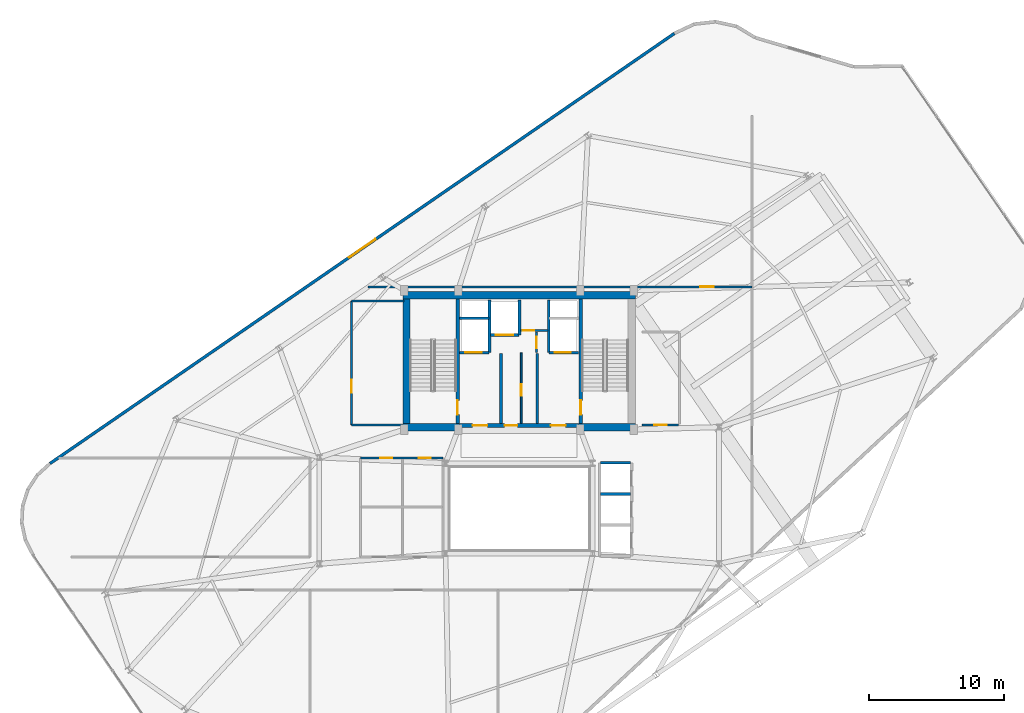
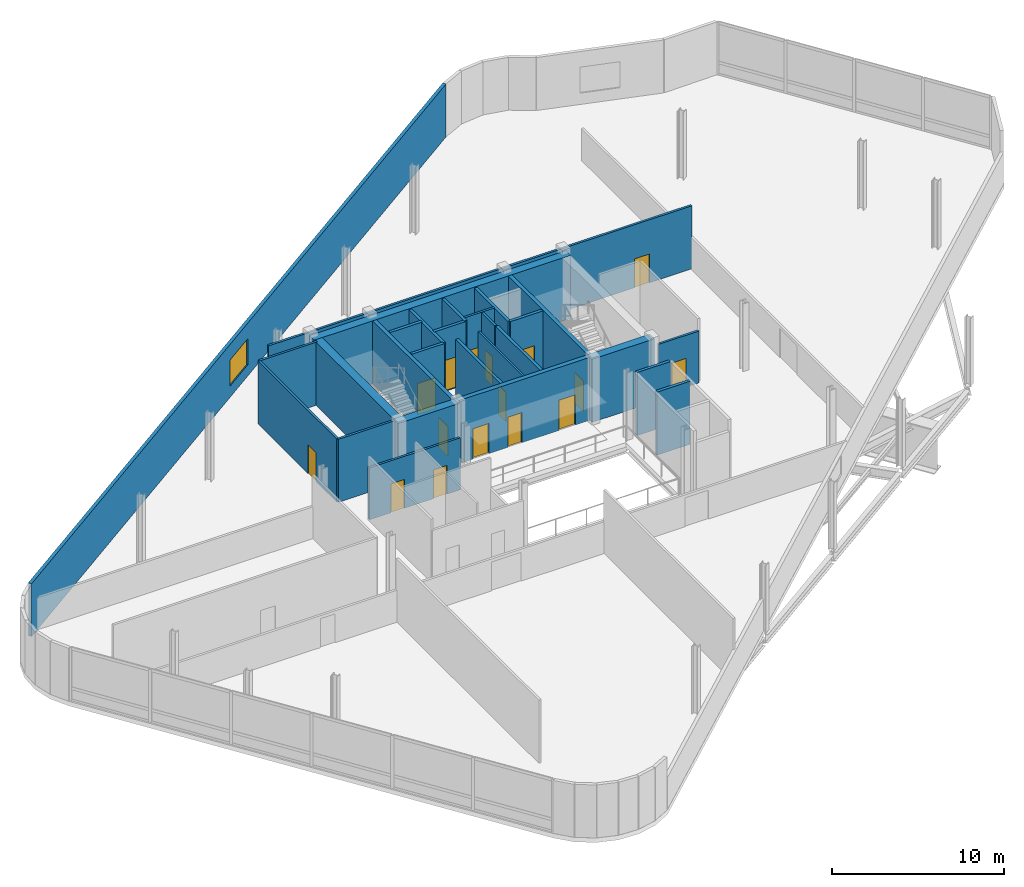
# One storey, part 13 of 15: 28 walls, 16 doors, 1 window, 17 openings.
"""IFC4 building model written with IfcOpenShell, lengths in metres."""

from ifc_helpers import new_model, si_unit, direction, frame, frame_2d, origin, place, context, subcontext, project, spatial, rectangle, extrude, material, layer, layer_set, type_object, element, fill, save


model = new_model("IFC4")

# Units and contexts
model_context = context("Model", 3, precision=1e-05, world=origin(), true_north=direction((0.0, 1.0)))
body_context = subcontext(model_context, "Body", "Model", "MODEL_VIEW")
ifc_project = project(units=[si_unit("LENGTHUNIT", "METRE"), si_unit("AREAUNIT", "SQUARE_METRE"), si_unit("VOLUMEUNIT", "CUBIC_METRE"), si_unit("PLANEANGLEUNIT", "RADIAN"), si_unit("MASSUNIT", "GRAM", prefix="KILO")], contexts=[model_context])

# Site, building, storey
site_placement = place(None, origin())
site = spatial("IfcSite", under=ifc_project, at=site_placement, CompositionType="ELEMENT")
building_placement = place(site_placement, origin())
building = spatial("IfcBuilding", under=site, at=building_placement, Name="Varnelok Gate Tower", CompositionType="ELEMENT")
storey_placement = place(building_placement, frame((0.0, 0.0, 291.5)))
storey = spatial("IfcBuildingStorey", under=building, at=storey_placement, Name="L75", CompositionType="ELEMENT", Elevation=291.5)

# Wall, opening, window
ifc_material_1 = material(Name="Concrete C45/55", Category="concrete")
ifc_layer_1 = layer(ifc_material_1, 0.219970703125)
ifc_layer_set_1 = layer_set([ifc_layer_1], Name="Concrete C45/55")
wall_type_1 = type_object("IfcWallType", Name="EW-BALC-220", PredefinedType="SOLIDWALL", material=ifc_layer_set_1)
wall_1_placement = place(storey_placement, frame((50.69482421875, 58.08642578125, 0.0), z_axis=(0.0, 0.0, 1.0), x_axis=(-0.823531024939, -0.567271232272, 0.0)))
wall_1 = element("IfcWall", 1, at=wall_1_placement, inside=storey, type_object=wall_type_1, Name="L75 Perimeter Facade Closure Wall 15", PredefinedType="SOLIDWALL", context=body_context, shape_type="SweptSolid", body=[
    extrude(rectangle(XDim=56.1572265625, YDim=0.219970703125, at=frame_2d((28.07861328125, 0.0))), origin(), (0.0, 0.0, 1.0), 3.760009765625),
])
opening_1_placement = place(wall_1_placement, frame((26.878662109375, 0.0, 0.800048828125)))
opening_1 = element("IfcOpeningElement", 2, at=opening_1_placement, cuts=wall_1, Name="Opening WN6", PredefinedType="OPENING", context=body_context, shape_type="SweptSolid", body=[
    extrude(rectangle(XDim=2.39990234375, YDim=1.85009765625, at=frame_2d((1.199951171875, 0.925048828125))), frame((0.0, 0.119873046875, 0.0), z_axis=(0.0, -1.0, 0.0), x_axis=(1.0, 0.0, 0.0)), (0.0, 0.0, 1.0), 0.239990234375),
])
ifc_material_2 = material(Name="Low-E Laminated Double Glazing IGU", Category="glass")
window_type = type_object("IfcWindowType", Name="WN-PEN-2400", PartitioningType="SINGLE_PANEL", PredefinedType="WINDOW", material=ifc_material_2)
window_placement = place(opening_1_placement, origin())
window = element("IfcWindow", 3, at=window_placement, inside=storey, type_object=window_type, Name="L75 Perimeter Vision Window 15", OverallHeight=1.85009765625, OverallWidth=2.39990234375, PartitioningType="SINGLE_PANEL", PredefinedType="WINDOW", context=body_context, shape_type="SweptSolid", body=[
    extrude(rectangle(XDim=2.39990234375, YDim=1.85009765625, at=frame_2d((1.199951171875, 0.925048828125))), frame((0.0, 0.030029296875, 0.0), z_axis=(0.0, -1.0, 0.0), x_axis=(1.0, 0.0, 0.0)), (0.0, 0.0, 1.0), 0.06005859375),
])
fill(opening_1, window)

# Wall, opening, door
ifc_material_3 = material(Name="Gypsum Plasterboard Acoustic Partition", Category="gypsum")
ifc_layer_2 = layer(ifc_material_3, 0.125)
ifc_layer_set_2 = layer_set([ifc_layer_2], Name="Gypsum Plasterboard Acoustic Partition")
wall_type_2 = type_object("IfcWallType", Name="PW-PART-125", PredefinedType="PARTITIONING", material=ifc_layer_set_2)
wall_2_placement = place(storey_placement, frame((39.35009765625, 29.199951171875, 0.0), z_axis=(0.0, 0.0, 1.0), x_axis=(0.0, 1.0, 0.0)))
wall_2 = element("IfcWall", 4, at=wall_2_placement, inside=storey, type_object=wall_type_2, Name="Interior Partition", PredefinedType="PARTITIONING", context=body_context, shape_type="SweptSolid", body=[
    extrude(rectangle(XDim=5.219970703125, YDim=0.125, at=frame_2d((2.60986328125, 0.0))), origin(), (0.0, 0.0, 1.0), 4.47998046875),
])
opening_2_placement = place(wall_2_placement, frame((2.050048828125, 0.0, 0.0)))
opening_2 = element("IfcOpeningElement", 5, at=opening_2_placement, cuts=wall_2, Name="Opening D-RS", PredefinedType="OPENING", context=body_context, shape_type="SweptSolid", body=[
    extrude(rectangle(XDim=0.85009765625, YDim=2.050048828125, at=frame_2d((0.425048828125, 1.02490234375))), frame((0.0, 0.072509765625, 0.0), z_axis=(0.0, -1.0, 0.0), x_axis=(1.0, 0.0, 0.0)), (0.0, 0.0, 1.0), 0.14501953125),
])
ifc_material_4 = material(Name="Galvanized Steel Grade S350GD", Category="steel")
door_type_1 = type_object("IfcDoorType", Name="DR-RISER-850", OperationType="NOTDEFINED", PredefinedType="DOOR", material=ifc_material_4)
door_1_placement = place(opening_2_placement, origin())
door_1 = element("IfcDoor", 6, at=door_1_placement, inside=storey, type_object=door_type_1, Name="L75 Housekeeping Linen Door", OperationType="SINGLE_SWING_RIGHT", OverallHeight=2.050048828125, OverallWidth=0.85009765625, PredefinedType="DOOR", context=body_context, shape_type="SweptSolid", body=[
    extrude(rectangle(XDim=0.85009765625, YDim=2.050048828125, at=frame_2d((0.425048828125, 1.02490234375))), frame((0.0, 0.02490234375, 0.0), z_axis=(0.0, -1.0, 0.0), x_axis=(1.0, 0.0, 0.0)), (0.0, 0.0, 1.0), 0.050048828125),
])
fill(opening_2, door_1)

# Wall, openings, doors
ifc_layer_3 = layer(ifc_material_3, 0.14990234375)
ifc_layer_set_3 = layer_set([ifc_layer_3], Name="Gypsum Plasterboard Acoustic Partition")
wall_type_3 = type_object("IfcWallType", Name="PW-PART-150", PredefinedType="PARTITIONING", material=ifc_layer_set_3)
wall_3_placement = place(storey_placement, frame((27.4599609375, 26.639892578125, 0.0), z_axis=(0.0, 0.0, 1.0), x_axis=(1.0, 0.0, 0.0)))
wall_3 = element("IfcWall", 7, at=wall_3_placement, inside=storey, type_object=wall_type_3, Name="Interior Partition", PredefinedType="PARTITIONING", context=body_context, shape_type="SweptSolid", body=[
    extrude(rectangle(XDim=6.10009765625, YDim=0.14990234375, at=frame_2d((3.050048828125, 0.0))), origin(), (0.0, 0.0, 1.0), 3.69189453125),
])
opening_3_placement = place(wall_3_placement, frame((4.302978515625, 0.0, 0.0)))
opening_3 = element("IfcOpeningElement", 8, at=opening_3_placement, cuts=wall_3, Name="Opening D-WC", PredefinedType="OPENING", context=body_context, shape_type="SweptSolid", body=[
    extrude(rectangle(XDim=0.89990234375, YDim=2.050048828125, at=frame_2d((0.449951171875, 1.02490234375))), frame((0.0, 0.0849609375, 0.0), z_axis=(0.0, -1.0, 0.0), x_axis=(1.0, 0.0, 0.0)), (0.0, 0.0, 1.0), 0.169921875),
])
opening_4_placement = place(wall_3_placement, frame((1.434814453125, 0.0, 0.0)))
opening_4 = element("IfcOpeningElement", 9, at=opening_4_placement, cuts=wall_3, Name="Opening D-WC", PredefinedType="OPENING", context=body_context, shape_type="SweptSolid", body=[
    extrude(rectangle(XDim=0.89990234375, YDim=2.050048828125, at=frame_2d((0.449951171875, 1.02490234375))), frame((0.0, 0.0849609375, 0.0), z_axis=(0.0, -1.0, 0.0), x_axis=(1.0, 0.0, 0.0)), (0.0, 0.0, 1.0), 0.169921875),
])
ifc_material_5 = material(Name="Engineered Hardwood Timber", Category="wood")
door_type_2 = type_object("IfcDoorType", Name="DR-BATH-900", OperationType="NOTDEFINED", PredefinedType="DOOR", material=ifc_material_5)
door_2_placement = place(opening_3_placement, origin())
door_2 = element("IfcDoor", 10, at=door_2_placement, inside=storey, type_object=door_type_2, Name="L75 Male WC Door", OperationType="SINGLE_SWING_LEFT", OverallHeight=2.050048828125, OverallWidth=0.89990234375, PredefinedType="DOOR", context=body_context, shape_type="SweptSolid", body=[
    extrude(rectangle(XDim=0.89990234375, YDim=2.050048828125, at=frame_2d((0.449951171875, 1.02490234375))), frame((0.0, 0.02490234375, 0.0), z_axis=(0.0, -1.0, 0.0), x_axis=(1.0, 0.0, 0.0)), (0.0, 0.0, 1.0), 0.050048828125),
])
fill(opening_3, door_2)
door_3_placement = place(opening_4_placement, origin())
door_3 = element("IfcDoor", 11, at=door_3_placement, inside=storey, type_object=door_type_2, Name="L75 Female WC Door", OperationType="SINGLE_SWING_RIGHT", OverallHeight=2.050048828125, OverallWidth=0.89990234375, PredefinedType="DOOR", context=body_context, shape_type="SweptSolid", body=[
    extrude(rectangle(XDim=0.89990234375, YDim=2.050048828125, at=frame_2d((0.449951171875, 1.02490234375))), frame((0.0, 0.02490234375, 0.0), z_axis=(0.0, -1.0, 0.0), x_axis=(1.0, 0.0, 0.0)), (0.0, 0.0, 1.0), 0.050048828125),
])
fill(opening_4, door_3)

# Wall, opening, door
wall_4_placement = place(storey_placement, frame((28.0, 39.320068359375, 0.0), z_axis=(0.0, 0.0, 1.0), x_axis=(1.0, 0.0, 0.0)))
wall_4 = element("IfcWall", 12, at=wall_4_placement, inside=storey, type_object=wall_type_3, Name="Interior Partition", PredefinedType="PARTITIONING", context=body_context, shape_type="SweptSolid", body=[
    extrude(rectangle(XDim=28.449951171875, YDim=0.14990234375, at=frame_2d((14.22509765625, 0.0))), origin(), (0.0, 0.0, 1.0), 4.47998046875),
])
opening_5_placement = place(wall_4_placement, frame((24.60009765625, 0.0, 0.0)))
opening_5 = element("IfcOpeningElement", 13, at=opening_5_placement, cuts=wall_4, Name="Opening D-I1", PredefinedType="OPENING", context=body_context, shape_type="SweptSolid", body=[
    extrude(rectangle(XDim=1.0, YDim=2.050048828125, at=frame_2d((0.5, 1.02490234375))), frame((0.0, 0.0849609375, 0.0), z_axis=(0.0, -1.0, 0.0), x_axis=(1.0, 0.0, 0.0)), (0.0, 0.0, 1.0), 0.169921875),
])
door_type_3 = type_object("IfcDoorType", Name="DR-INT-1000", OperationType="NOTDEFINED", PredefinedType="DOOR", material=ifc_material_5)
door_4_placement = place(opening_5_placement, origin())
door_4 = element("IfcDoor", 14, at=door_4_placement, inside=storey, type_object=door_type_3, Name="L75 Horizon Club Door", OperationType="SINGLE_SWING_RIGHT", OverallHeight=2.050048828125, OverallWidth=1.0, PredefinedType="DOOR", context=body_context, shape_type="SweptSolid", body=[
    extrude(rectangle(XDim=1.0, YDim=2.050048828125, at=frame_2d((0.5, 1.02490234375))), frame((0.0, 0.02490234375, 0.0), z_axis=(0.0, -1.0, 0.0), x_axis=(1.0, 0.0, 0.0)), (0.0, 0.0, 1.0), 0.050048828125),
])
fill(opening_5, door_4)

wall_5_placement = place(storey_placement, frame((39.300048828125, 36.080078125, 0.0), z_axis=(0.0, 0.0, 1.0), x_axis=(1.0, 0.0, 0.0)))
wall_5 = element("IfcWall", 15, at=wall_5_placement, inside=storey, type_object=wall_type_3, Name="L75 Electrical Closet South Wall", PredefinedType="PARTITIONING", context=body_context, shape_type="SweptSolid", body=[
    extrude(rectangle(XDim=2.02001953125, YDim=0.14990234375, at=frame_2d((1.010009765625, 0.0))), origin(), (0.0, 0.0, 1.0), 4.47998046875),
])
opening_6_placement = place(wall_5_placement, frame((0.179931640625, 0.0, 0.0)))
opening_6 = element("IfcOpeningElement", 16, at=opening_6_placement, cuts=wall_5, Name="Opening D-RS", PredefinedType="OPENING", context=body_context, shape_type="SweptSolid", body=[
    extrude(rectangle(XDim=0.85009765625, YDim=2.050048828125, at=frame_2d((0.425048828125, 1.02490234375))), frame((0.0, 0.0849609375, 0.0), z_axis=(0.0, -1.0, 0.0), x_axis=(1.0, 0.0, 0.0)), (0.0, 0.0, 1.0), 0.169921875),
])
door_5_placement = place(opening_6_placement, origin())
door_5 = element("IfcDoor", 17, at=door_5_placement, inside=storey, type_object=door_type_1, Name="L75 Electrical Closet Door", OperationType="SINGLE_SWING_RIGHT", OverallHeight=2.050048828125, OverallWidth=0.85009765625, PredefinedType="DOOR", context=body_context, shape_type="SweptSolid", body=[
    extrude(rectangle(XDim=0.85009765625, YDim=2.050048828125, at=frame_2d((0.425048828125, 1.02490234375))), frame((0.0, 0.02490234375, 0.0), z_axis=(0.0, -1.0, 0.0), x_axis=(1.0, 0.0, 0.0)), (0.0, 0.0, 1.0), 0.050048828125),
])
fill(opening_6, door_5)

wall_6_placement = place(storey_placement, frame((40.47998046875, 34.43994140625, 0.0), z_axis=(0.0, 0.0, 1.0), x_axis=(0.0, 1.0, 0.0)))
wall_6 = element("IfcWall", 18, at=wall_6_placement, inside=storey, type_object=wall_type_3, Name="L75 Telecoms Closet West Wall", PredefinedType="PARTITIONING", context=body_context, shape_type="SweptSolid", body=[
    extrude(rectangle(XDim=1.52001953125, YDim=0.14990234375, at=frame_2d((0.760009765625, 0.0))), origin(), (0.0, 0.0, 1.0), 4.47998046875),
])
opening_7_placement = place(wall_6_placement, frame((0.320068359375, 0.0, 0.0)))
opening_7 = element("IfcOpeningElement", 19, at=opening_7_placement, cuts=wall_6, Name="Opening D-RS", PredefinedType="OPENING", context=body_context, shape_type="SweptSolid", body=[
    extrude(rectangle(XDim=0.85009765625, YDim=2.050048828125, at=frame_2d((0.425048828125, 1.02490234375))), frame((0.0, 0.0849609375, 0.0), z_axis=(0.0, -1.0, 0.0), x_axis=(1.0, 0.0, 0.0)), (0.0, 0.0, 1.0), 0.169921875),
])
door_6_placement = place(opening_7_placement, origin())
door_6 = element("IfcDoor", 20, at=door_6_placement, inside=storey, type_object=door_type_1, Name="L75 Telecoms Closet Door", OperationType="SINGLE_SWING_LEFT", OverallHeight=2.050048828125, OverallWidth=0.85009765625, PredefinedType="DOOR", context=body_context, shape_type="SweptSolid", body=[
    extrude(rectangle(XDim=0.85009765625, YDim=2.050048828125, at=frame_2d((0.425048828125, 1.02490234375))), frame((0.0, 0.02490234375, 0.0), z_axis=(0.0, -1.0, 0.0), x_axis=(1.0, 0.0, 0.0)), (0.0, 0.0, 1.0), 0.050048828125),
])
fill(opening_7, door_6)

# Walls
wall_7_placement = place(storey_placement, frame((26.780029296875, 29.080078125, 0.0), z_axis=(0.0, 0.0, 1.0), x_axis=(1.0, 0.0, 0.0)))
element("IfcWall", 21, at=wall_7_placement, inside=storey, type_object=wall_type_3, Name="Interior Partition", PredefinedType="PARTITIONING", context=body_context, shape_type="SweptSolid", body=[
    extrude(rectangle(XDim=3.800048828125, YDim=0.14990234375, at=frame_2d((1.89990234375, 0.0))), origin(), (0.0, 0.0, 1.0), 4.47998046875),
])
wall_8_placement = place(storey_placement, frame((26.780029296875, 38.260009765625, 0.0), z_axis=(0.0, 0.0, 1.0), x_axis=(1.0, 0.0, 0.0)))
element("IfcWall", 22, at=wall_8_placement, inside=storey, type_object=wall_type_3, Name="Interior Partition", PredefinedType="PARTITIONING", context=body_context, shape_type="SweptSolid", body=[
    extrude(rectangle(XDim=3.89990234375, YDim=0.14990234375, at=frame_2d((1.949951171875, 0.0))), origin(), (0.0, 0.0, 1.0), 4.47998046875),
])

# Wall, opening, door
wall_9_placement = place(storey_placement, frame((26.780029296875, 29.080078125, 0.0), z_axis=(0.0, 0.0, 1.0), x_axis=(0.0, 1.0, 0.0)))
wall_9 = element("IfcWall", 23, at=wall_9_placement, inside=storey, type_object=wall_type_3, Name="Interior Partition", PredefinedType="PARTITIONING", context=body_context, shape_type="SweptSolid", body=[
    extrude(rectangle(XDim=9.179931640625, YDim=0.14990234375, at=frame_2d((4.58984375, 0.0))), origin(), (0.0, 0.0, 1.0), 4.47998046875),
])
opening_8_placement = place(wall_9_placement, frame((2.39990234375, 0.0, 0.0)))
opening_8 = element("IfcOpeningElement", 24, at=opening_8_placement, cuts=wall_9, Name="Opening D-I2", PredefinedType="OPENING", context=body_context, shape_type="SweptSolid", body=[
    extrude(rectangle(XDim=0.949951171875, YDim=2.050048828125, at=frame_2d((0.47509765625, 1.02490234375))), frame((0.0, 0.0849609375, 0.0), z_axis=(0.0, -1.0, 0.0), x_axis=(1.0, 0.0, 0.0)), (0.0, 0.0, 1.0), 0.169921875),
])
door_type_4 = type_object("IfcDoorType", Name="DR-INT-950", OperationType="NOTDEFINED", PredefinedType="DOOR", material=ifc_material_5)
door_7_placement = place(opening_8_placement, origin())
door_7 = element("IfcDoor", 25, at=door_7_placement, inside=storey, type_object=door_type_4, Name="L75 Reclaimed Housekeeping Door", OperationType="SINGLE_SWING_RIGHT", OverallHeight=2.050048828125, OverallWidth=0.949951171875, PredefinedType="DOOR", context=body_context, shape_type="SweptSolid", body=[
    extrude(rectangle(XDim=0.949951171875, YDim=2.050048828125, at=frame_2d((0.47509765625, 1.02490234375))), frame((0.0, 0.02490234375, 0.0), z_axis=(0.0, -1.0, 0.0), x_axis=(1.0, 0.0, 0.0)), (0.0, 0.0, 1.0), 0.050048828125),
])
fill(opening_8, door_7)

wall_10_placement = place(storey_placement, frame((48.300048828125, 29.080078125, 0.0), z_axis=(0.0, 0.0, 1.0), x_axis=(1.0, 0.0, 0.0)))
wall_10 = element("IfcWall", 26, at=wall_10_placement, inside=storey, type_object=wall_type_3, Name="Interior Partition", PredefinedType="PARTITIONING", context=body_context, shape_type="SweptSolid", body=[
    extrude(rectangle(XDim=2.719970703125, YDim=0.14990234375, at=frame_2d((1.35986328125, 0.0))), origin(), (0.0, 0.0, 1.0), 3.69189453125),
])
opening_9_placement = place(wall_10_placement, frame((0.89990234375, 0.0, 0.0)))
opening_9 = element("IfcOpeningElement", 27, at=opening_9_placement, cuts=wall_10, Name="Opening D-I2", PredefinedType="OPENING", context=body_context, shape_type="SweptSolid", body=[
    extrude(rectangle(XDim=0.949951171875, YDim=2.050048828125, at=frame_2d((0.47509765625, 1.02490234375))), frame((0.0, 0.0849609375, 0.0), z_axis=(0.0, -1.0, 0.0), x_axis=(1.0, 0.0, 0.0)), (0.0, 0.0, 1.0), 0.169921875),
])
door_8_placement = place(opening_9_placement, origin())
door_8 = element("IfcDoor", 28, at=door_8_placement, inside=storey, type_object=door_type_4, Name="L75 Reclaimed Trunk Store Door", OperationType="SINGLE_SWING_LEFT", OverallHeight=2.050048828125, OverallWidth=0.949951171875, PredefinedType="DOOR", context=body_context, shape_type="SweptSolid", body=[
    extrude(rectangle(XDim=0.949951171875, YDim=2.050048828125, at=frame_2d((0.47509765625, 1.02490234375))), frame((0.0, 0.02490234375, 0.0), z_axis=(0.0, -1.0, 0.0), x_axis=(1.0, 0.0, 0.0)), (0.0, 0.0, 1.0), 0.050048828125),
])
fill(opening_9, door_8)

# Walls
ifc_material_6 = material(Name="Concrete C35/45", Category="concrete")
ifc_layer_4 = layer(ifc_material_6, 0.199951171875)
ifc_layer_set_4 = layer_set([ifc_layer_4], Name="Concrete C35/45")
wall_type_4 = type_object("IfcWallType", Name="PW-SHAFT-200", PredefinedType="PARTITIONING", material=ifc_layer_set_4)
for number, where, z_axis, x_axis, name in (
    (29, (37.860107421875, 29.199951171875, 0.0), (0.0, 0.0, 1.0), (0.0, 1.0, 0.0), "L75 West FF Lobby Rated Wall"),
    (30, (40.5400390625, 29.199951171875, 0.0), (0.0, 0.0, 1.0), (0.0, 1.0, 0.0), "L75 East FF Lobby Rated Wall"),
):
    element("IfcWall", number, at=place(storey_placement, frame(where, z_axis=z_axis, x_axis=x_axis)), inside=storey, type_object=wall_type_4, Name=name, PredefinedType="PARTITIONING", context=body_context, shape_type="SweptSolid", body=[
        extrude(rectangle(XDim=5.179931640625, YDim=0.199951171875, at=frame_2d((2.58984375, 0.0))), origin(), (0.0, 0.0, 1.0), 4.47998046875),
    ])

# Wall, opening, door
wall_11_placement = place(storey_placement, frame((34.800048828125, 34.43994140625, 0.0), z_axis=(0.0, 0.0, 1.0), x_axis=(1.0, 0.0, 0.0)))
wall_11 = element("IfcWall", 31, at=wall_11_placement, inside=storey, type_object=wall_type_4, Name="L75 FF1 Shaft Front Wall", PredefinedType="PARTITIONING", context=body_context, shape_type="SweptSolid", body=[
    extrude(rectangle(XDim=2.179931640625, YDim=0.199951171875, at=frame_2d((1.08984375, 0.0))), origin(), (0.0, 0.0, 1.0), 4.47998046875),
])
opening_10_placement = place(wall_11_placement, frame((0.419921875, 0.0, 0.0)))
opening_10 = element("IfcOpeningElement", 32, at=opening_10_placement, cuts=wall_11, Name="Opening LD-FF1", PredefinedType="OPENING", context=body_context, shape_type="SweptSolid", body=[
    extrude(rectangle(XDim=1.199951171875, YDim=2.199951171875, at=frame_2d((0.60009765625, 1.10009765625))), frame((0.0, 0.10986328125, 0.0), z_axis=(0.0, -1.0, 0.0), x_axis=(1.0, 0.0, 0.0)), (0.0, 0.0, 1.0), 0.219970703125),
])
door_type_5 = type_object("IfcDoorType", Name="DR-LIFT-FF1200", OperationType="SLIDING_TO_LEFT", PredefinedType="DOOR", material=ifc_material_4)
door_9_placement = place(opening_10_placement, origin())
door_9 = element("IfcDoor", 33, at=door_9_placement, inside=storey, type_object=door_type_5, Name="L75 Firefighting Lift Landing Door LD-FF1", OperationType="SLIDING_TO_LEFT", OverallHeight=2.199951171875, OverallWidth=1.199951171875, PredefinedType="DOOR", context=body_context, shape_type="SweptSolid", body=[
    extrude(rectangle(XDim=1.199951171875, YDim=2.199951171875, at=frame_2d((0.60009765625, 1.10009765625))), frame((0.0, 0.02490234375, 0.0), z_axis=(0.0, -1.0, 0.0), x_axis=(1.0, 0.0, 0.0)), (0.0, 0.0, 1.0), 0.050048828125),
])
fill(opening_10, door_9)

# Walls
wall_12_placement = place(storey_placement, frame((34.800048828125, 36.97998046875, 0.0), z_axis=(0.0, 0.0, 1.0), x_axis=(1.0, 0.0, 0.0)))
element("IfcWall", 34, at=wall_12_placement, inside=storey, type_object=wall_type_4, Name="L75 FF1 Shaft North Wall", PredefinedType="PARTITIONING", context=body_context, shape_type="SweptSolid", body=[
    extrude(rectangle(XDim=2.179931640625, YDim=0.199951171875, at=frame_2d((1.08984375, 0.0))), origin(), (0.0, 0.0, 1.0), 4.47998046875),
])
wall_13_placement = place(storey_placement, frame((37.0, 34.43994140625, 0.0), z_axis=(0.0, 0.0, 1.0), x_axis=(0.0, 1.0, 0.0)))
element("IfcWall", 35, at=wall_13_placement, inside=storey, type_object=wall_type_4, Name="L75 FF1 Shaft Side Wall", PredefinedType="PARTITIONING", context=body_context, shape_type="SweptSolid", body=[
    extrude(rectangle(XDim=3.900146484375, YDim=0.199951171875, at=frame_2d((1.9501953125, 0.0))), origin(), (0.0, 0.0, 1.0), 4.47998046875),
])

# Wall, opening, door
wall_14_placement = place(storey_placement, frame((41.419921875, 34.43994140625, 0.0), z_axis=(0.0, 0.0, 1.0), x_axis=(1.0, 0.0, 0.0)))
wall_14 = element("IfcWall", 36, at=wall_14_placement, inside=storey, type_object=wall_type_4, Name="L75 FF2 Shaft Front Wall", PredefinedType="PARTITIONING", context=body_context, shape_type="SweptSolid", body=[
    extrude(rectangle(XDim=2.18017578125, YDim=0.199951171875, at=frame_2d((1.090087890625, 0.0))), origin(), (0.0, 0.0, 1.0), 4.47998046875),
])
opening_11_placement = place(wall_14_placement, frame((0.419921875, 0.0, 0.0)))
opening_11 = element("IfcOpeningElement", 37, at=opening_11_placement, cuts=wall_14, Name="Opening LD-FF2", PredefinedType="OPENING", context=body_context, shape_type="SweptSolid", body=[
    extrude(rectangle(XDim=1.199951171875, YDim=2.199951171875, at=frame_2d((0.60009765625, 1.10009765625))), frame((0.0, 0.10986328125, 0.0), z_axis=(0.0, -1.0, 0.0), x_axis=(1.0, 0.0, 0.0)), (0.0, 0.0, 1.0), 0.219970703125),
])
door_10_placement = place(opening_11_placement, origin())
door_10 = element("IfcDoor", 38, at=door_10_placement, inside=storey, type_object=door_type_5, Name="L75 Firefighting Lift Landing Door LD-FF2", OperationType="SLIDING_TO_LEFT", OverallHeight=2.199951171875, OverallWidth=1.199951171875, PredefinedType="DOOR", context=body_context, shape_type="SweptSolid", body=[
    extrude(rectangle(XDim=1.199951171875, YDim=2.199951171875, at=frame_2d((0.60009765625, 1.10009765625))), frame((0.0, 0.02490234375, 0.0), z_axis=(0.0, -1.0, 0.0), x_axis=(1.0, 0.0, 0.0)), (0.0, 0.0, 1.0), 0.050048828125),
])
fill(opening_11, door_10)

# Wall
wall_15_placement = place(storey_placement, frame((41.39990234375, 34.43994140625, 0.0), z_axis=(0.0, 0.0, 1.0), x_axis=(0.0, 1.0, 0.0)))
element("IfcWall", 39, at=wall_15_placement, inside=storey, type_object=wall_type_4, Name="L75 FF2 Shaft Side Wall", PredefinedType="PARTITIONING", context=body_context, shape_type="SweptSolid", body=[
    extrude(rectangle(XDim=3.900146484375, YDim=0.199951171875, at=frame_2d((1.9501953125, 0.0))), origin(), (0.0, 0.0, 1.0), 4.47998046875),
])

# Wall, opening, door
wall_16_placement = place(storey_placement, frame((37.06005859375, 35.75, 0.0), z_axis=(0.0, 0.0, 1.0), x_axis=(1.0, 0.0, 0.0)))
wall_16 = element("IfcWall", 40, at=wall_16_placement, inside=storey, type_object=wall_type_4, Name="L75 SV1 Shaft Front Wall", PredefinedType="PARTITIONING", context=body_context, shape_type="SweptSolid", body=[
    extrude(rectangle(XDim=2.119873046875, YDim=0.199951171875, at=frame_2d((1.06005859375, 0.0))), origin(), (0.0, 0.0, 1.0), 4.47998046875),
])
opening_12_placement = place(wall_16_placement, frame((0.39990234375, 0.0, 0.0)))
opening_12 = element("IfcOpeningElement", 41, at=opening_12_placement, cuts=wall_16, Name="Opening LD-SV1", PredefinedType="OPENING", context=body_context, shape_type="SweptSolid", body=[
    extrude(rectangle(XDim=1.300048828125, YDim=2.199951171875, at=frame_2d((0.64990234375, 1.10009765625))), frame((0.0, 0.10986328125, 0.0), z_axis=(0.0, -1.0, 0.0), x_axis=(1.0, 0.0, 0.0)), (0.0, 0.0, 1.0), 0.219970703125),
])
door_type_6 = type_object("IfcDoorType", Name="DR-LIFT-SV1300", OperationType="SLIDING_TO_LEFT", PredefinedType="DOOR", material=ifc_material_4)
door_11_placement = place(opening_12_placement, origin())
door_11 = element("IfcDoor", 42, at=door_11_placement, inside=storey, type_object=door_type_6, Name="L75 Service Lift Landing Door LD-SV1", OperationType="SLIDING_TO_LEFT", OverallHeight=2.199951171875, OverallWidth=1.300048828125, PredefinedType="DOOR", context=body_context, shape_type="SweptSolid", body=[
    extrude(rectangle(XDim=1.300048828125, YDim=2.199951171875, at=frame_2d((0.64990234375, 1.10009765625))), frame((0.0, 0.02490234375, 0.0), z_axis=(0.0, -1.0, 0.0), x_axis=(1.0, 0.0, 0.0)), (0.0, 0.0, 1.0), 0.050048828125),
])
fill(opening_12, door_11)

# Walls
wall_17_placement = place(storey_placement, frame((39.219970703125, 35.75, 0.0), z_axis=(0.0, 0.0, 1.0), x_axis=(0.0, 1.0, 0.0)))
element("IfcWall", 43, at=wall_17_placement, inside=storey, type_object=wall_type_4, Name="L75 SV1 Shaft East Wall", PredefinedType="PARTITIONING", context=body_context, shape_type="SweptSolid", body=[
    extrude(rectangle(XDim=2.590087890625, YDim=0.199951171875, at=frame_2d((1.294921875, 0.0))), origin(), (0.0, 0.0, 1.0), 4.47998046875),
])
for number, where, z_axis, x_axis, name in (
    (44, (45.239990234375, 23.97509765625, 0.0), (0.0, 0.0, 1.0), (1.0, 0.0, 0.0), "L75 PH2 Divider"),
    (45, (45.239990234375, 26.280029296875, 0.0), (0.0, 0.0, 1.0), (1.0, 0.0, 0.0), "L75 PH Bank North Wall"),
):
    element("IfcWall", number, at=place(storey_placement, frame(where, z_axis=z_axis, x_axis=x_axis)), inside=storey, type_object=wall_type_4, Name=name, PredefinedType="PARTITIONING", context=body_context, shape_type="SweptSolid", body=[
        extrude(rectangle(XDim=2.219970703125, YDim=0.199951171875, at=frame_2d((1.10986328125, 0.0))), origin(), (0.0, 0.0, 1.0), 4.47998046875),
    ])
ifc_material_7 = material(Name="Concrete C60/75", Category="concrete")
ifc_layer_5 = layer(ifc_material_7, 0.550048828125)
ifc_layer_set_5 = layer_set([ifc_layer_5], Name="Concrete C60/75")
wall_type_5 = type_object("IfcWallType", Name="SW-CORE-550", PredefinedType="SHEAR", material=ifc_layer_set_5)
wall_18_placement = place(storey_placement, frame((30.580078125, 38.695068359375, 0.0), z_axis=(0.0, 0.0, 1.0), x_axis=(1.0, 0.0, 0.0)))
element("IfcWall", 46, at=wall_18_placement, inside=storey, type_object=wall_type_5, Name="L75 Rear Core North Shear Wall", PredefinedType="SHEAR", context=body_context, shape_type="SweptSolid", body=[
    extrude(rectangle(XDim=17.239990234375, YDim=0.550048828125, at=frame_2d((8.6201171875, 0.0))), origin(), (0.0, 0.0, 1.0), 4.47998046875),
])
wall_19_placement = place(storey_placement, frame((30.85498046875, 29.199951171875, 0.0), z_axis=(0.0, 0.0, 1.0), x_axis=(0.0, 1.0, 0.0)))
element("IfcWall", 47, at=wall_19_placement, inside=storey, type_object=wall_type_5, Name="L75 Rear Core West Shear Wall", PredefinedType="SHEAR", context=body_context, shape_type="SweptSolid", body=[
    extrude(rectangle(XDim=9.219970703125, YDim=0.550048828125, at=frame_2d((4.60986328125, 0.0))), origin(), (0.0, 0.0, 1.0), 4.47998046875),
])
for number, where, z_axis, x_axis, name in (
    (48, (30.580078125, 28.925048828125, 0.0), (0.0, 0.0, 1.0), (1.0, 0.0, 0.0), "L75 Rear Core South-West Shear Wall"),
    (49, (43.60009765625, 28.925048828125, 0.0), (0.0, 0.0, 1.0), (1.0, 0.0, 0.0), "L75 Rear Core South-East Shear Wall"),
):
    element("IfcWall", number, at=place(storey_placement, frame(where, z_axis=z_axis, x_axis=x_axis)), inside=storey, type_object=wall_type_5, Name=name, PredefinedType="SHEAR", context=body_context, shape_type="SweptSolid", body=[
        extrude(rectangle(XDim=4.219970703125, YDim=0.550048828125, at=frame_2d((2.10986328125, 0.0))), origin(), (0.0, 0.0, 1.0), 4.47998046875),
    ])

# Wall, opening, door
ifc_layer_6 = layer(ifc_material_7, 0.25)
ifc_layer_set_6 = layer_set([ifc_layer_6], Name="Concrete C60/75")
wall_type_6 = type_object("IfcWallType", Name="SW-SHAFT-250", PredefinedType="SHEAR", material=ifc_layer_set_6)
wall_20_placement = place(storey_placement, frame((34.639892578125, 29.199951171875, 0.0), z_axis=(0.0, 0.0, 1.0), x_axis=(0.0, 1.0, 0.0)))
wall_20 = element("IfcWall", 50, at=wall_20_placement, inside=storey, type_object=wall_type_6, Name="L75 Stair ST-1 East Shear Wall", PredefinedType="SHEAR", context=body_context, shape_type="SweptSolid", body=[
    extrude(rectangle(XDim=9.219970703125, YDim=0.25, at=frame_2d((4.60986328125, 0.0))), origin(), (0.0, 0.0, 1.0), 4.47998046875),
])
opening_13_placement = place(wall_20_placement, frame((0.64990234375, 0.0, 0.0)))
opening_13 = element("IfcOpeningElement", 51, at=opening_13_placement, cuts=wall_20, Name="Opening D-ST", PredefinedType="OPENING", context=body_context, shape_type="SweptSolid", body=[
    extrude(rectangle(XDim=1.050048828125, YDim=2.14990234375, at=frame_2d((0.52490234375, 1.074951171875))), frame((0.0, 0.135009765625, 0.0), z_axis=(0.0, -1.0, 0.0), x_axis=(1.0, 0.0, 0.0)), (0.0, 0.0, 1.0), 0.27001953125),
])
door_type_7 = type_object("IfcDoorType", Name="DR-STAIR-1050", OperationType="NOTDEFINED", PredefinedType="DOOR", material=ifc_material_4)
door_12_placement = place(opening_13_placement, origin())
door_12 = element("IfcDoor", 52, at=door_12_placement, inside=storey, type_object=door_type_7, Name="L75 Exit Stair ST-1 Fire Door", OperationType="SINGLE_SWING_LEFT", OverallHeight=2.14990234375, OverallWidth=1.050048828125, PredefinedType="DOOR", context=body_context, shape_type="SweptSolid", body=[
    extrude(rectangle(XDim=1.050048828125, YDim=2.14990234375, at=frame_2d((0.52490234375, 1.074951171875))), frame((0.0, 0.02490234375, 0.0), z_axis=(0.0, -1.0, 0.0), x_axis=(1.0, 0.0, 0.0)), (0.0, 0.0, 1.0), 0.050048828125),
])
fill(opening_13, door_12)

wall_21_placement = place(storey_placement, frame((43.760009765625, 29.199951171875, 0.0), z_axis=(0.0, 0.0, 1.0), x_axis=(0.0, 1.0, 0.0)))
wall_21 = element("IfcWall", 53, at=wall_21_placement, inside=storey, type_object=wall_type_6, Name="L75 Stair ST-2 West Shear Wall", PredefinedType="SHEAR", context=body_context, shape_type="SweptSolid", body=[
    extrude(rectangle(XDim=9.219970703125, YDim=0.25, at=frame_2d((4.60986328125, 0.0))), origin(), (0.0, 0.0, 1.0), 4.47998046875),
])
opening_14_placement = place(wall_21_placement, frame((0.64990234375, 0.0, 0.0)))
opening_14 = element("IfcOpeningElement", 54, at=opening_14_placement, cuts=wall_21, Name="Opening D-ST", PredefinedType="OPENING", context=body_context, shape_type="SweptSolid", body=[
    extrude(rectangle(XDim=1.050048828125, YDim=2.14990234375, at=frame_2d((0.52490234375, 1.074951171875))), frame((0.0, 0.135009765625, 0.0), z_axis=(0.0, -1.0, 0.0), x_axis=(1.0, 0.0, 0.0)), (0.0, 0.0, 1.0), 0.27001953125),
])
door_13_placement = place(opening_14_placement, origin())
door_13 = element("IfcDoor", 55, at=door_13_placement, inside=storey, type_object=door_type_7, Name="L75 Exit Stair ST-2 Fire Door", OperationType="SINGLE_SWING_RIGHT", OverallHeight=2.14990234375, OverallWidth=1.050048828125, PredefinedType="DOOR", context=body_context, shape_type="SweptSolid", body=[
    extrude(rectangle(XDim=1.050048828125, YDim=2.14990234375, at=frame_2d((0.52490234375, 1.074951171875))), frame((0.0, 0.02490234375, 0.0), z_axis=(0.0, -1.0, 0.0), x_axis=(1.0, 0.0, 0.0)), (0.0, 0.0, 1.0), 0.050048828125),
])
fill(opening_14, door_13)

# Wall, openings, doors
ifc_layer_7 = layer(ifc_material_7, 0.300048828125)
ifc_layer_set_7 = layer_set([ifc_layer_7], Name="Concrete C60/75")
wall_type_7 = type_object("IfcWallType", Name="SW-SHAFT-300", PredefinedType="SHEAR", material=ifc_layer_set_7)
wall_22_placement = place(storey_placement, frame((34.800048828125, 29.050048828125, 0.0), z_axis=(0.0, 0.0, 1.0), x_axis=(1.0, 0.0, 0.0)))
wall_22 = element("IfcWall", 56, at=wall_22_placement, inside=storey, type_object=wall_type_7, Name="L75 Rear Core Central Lobby Shear Wall", PredefinedType="SHEAR", context=body_context, shape_type="SweptSolid", body=[
    extrude(rectangle(XDim=8.800048828125, YDim=0.300048828125, at=frame_2d((4.39990234375, 0.0))), origin(), (0.0, 0.0, 1.0), 4.47998046875),
])
opening_15_placement = place(wall_22_placement, frame((0.949951171875, 0.0, 0.0)))
opening_15 = element("IfcOpeningElement", 57, at=opening_15_placement, cuts=wall_22, Name="Opening D-FF", PredefinedType="OPENING", context=body_context, shape_type="SweptSolid", body=[
    extrude(rectangle(XDim=1.10009765625, YDim=2.14990234375, at=frame_2d((0.550048828125, 1.074951171875))), frame((0.0, 0.159912109375, 0.0), z_axis=(0.0, -1.0, 0.0), x_axis=(1.0, 0.0, 0.0)), (0.0, 0.0, 1.0), 0.320068359375),
])
opening_16_placement = place(wall_22_placement, frame((6.75, 0.0, 0.0)))
opening_16 = element("IfcOpeningElement", 58, at=opening_16_placement, cuts=wall_22, Name="Opening D-FF", PredefinedType="OPENING", context=body_context, shape_type="SweptSolid", body=[
    extrude(rectangle(XDim=1.10009765625, YDim=2.14990234375, at=frame_2d((0.550048828125, 1.074951171875))), frame((0.0, 0.159912109375, 0.0), z_axis=(0.0, -1.0, 0.0), x_axis=(1.0, 0.0, 0.0)), (0.0, 0.0, 1.0), 0.320068359375),
])
opening_17_placement = place(wall_22_placement, frame((3.320068359375, 0.0, 0.0)))
opening_17 = element("IfcOpeningElement", 59, at=opening_17_placement, cuts=wall_22, Name="Opening D-CR", PredefinedType="OPENING", context=body_context, shape_type="SweptSolid", body=[
    extrude(rectangle(XDim=0.949951171875, YDim=2.14990234375, at=frame_2d((0.47509765625, 1.074951171875))), frame((0.0, 0.159912109375, 0.0), z_axis=(0.0, -1.0, 0.0), x_axis=(1.0, 0.0, 0.0)), (0.0, 0.0, 1.0), 0.320068359375),
])
door_type_8 = type_object("IfcDoorType", Name="DR-CORR-950", OperationType="NOTDEFINED", PredefinedType="DOOR", material=ifc_material_4)
door_14_placement = place(opening_17_placement, origin())
door_14 = element("IfcDoor", 60, at=door_14_placement, inside=storey, type_object=door_type_8, Name="L75 Core Service Passage Door", OperationType="SINGLE_SWING_LEFT", OverallHeight=2.14990234375, OverallWidth=0.949951171875, PredefinedType="DOOR", context=body_context, shape_type="SweptSolid", body=[
    extrude(rectangle(XDim=0.949951171875, YDim=2.14990234375, at=frame_2d((0.47509765625, 1.074951171875))), frame((0.0, 0.02490234375, 0.0), z_axis=(0.0, -1.0, 0.0), x_axis=(1.0, 0.0, 0.0)), (0.0, 0.0, 1.0), 0.050048828125),
])
fill(opening_17, door_14)
door_type_9 = type_object("IfcDoorType", Name="DR-FFLOB-1100", OperationType="NOTDEFINED", PredefinedType="DOOR", material=ifc_material_4)
door_15_placement = place(opening_15_placement, origin())
door_15 = element("IfcDoor", 61, at=door_15_placement, inside=storey, type_object=door_type_9, Name="L75 West Firefighting Lobby Fire Door", OperationType="SINGLE_SWING_RIGHT", OverallHeight=2.14990234375, OverallWidth=1.10009765625, PredefinedType="DOOR", context=body_context, shape_type="SweptSolid", body=[
    extrude(rectangle(XDim=1.10009765625, YDim=2.14990234375, at=frame_2d((0.550048828125, 1.074951171875))), frame((0.0, 0.02490234375, 0.0), z_axis=(0.0, -1.0, 0.0), x_axis=(1.0, 0.0, 0.0)), (0.0, 0.0, 1.0), 0.050048828125),
])
fill(opening_15, door_15)
door_16_placement = place(opening_16_placement, origin())
door_16 = element("IfcDoor", 62, at=door_16_placement, inside=storey, type_object=door_type_9, Name="L75 East Firefighting Lobby Fire Door", OperationType="SINGLE_SWING_LEFT", OverallHeight=2.14990234375, OverallWidth=1.10009765625, PredefinedType="DOOR", context=body_context, shape_type="SweptSolid", body=[
    extrude(rectangle(XDim=1.10009765625, YDim=2.14990234375, at=frame_2d((0.550048828125, 1.074951171875))), frame((0.0, 0.02490234375, 0.0), z_axis=(0.0, -1.0, 0.0), x_axis=(1.0, 0.0, 0.0)), (0.0, 0.0, 1.0), 0.050048828125),
])
fill(opening_16, door_16)

save(model, "model.ifc")
